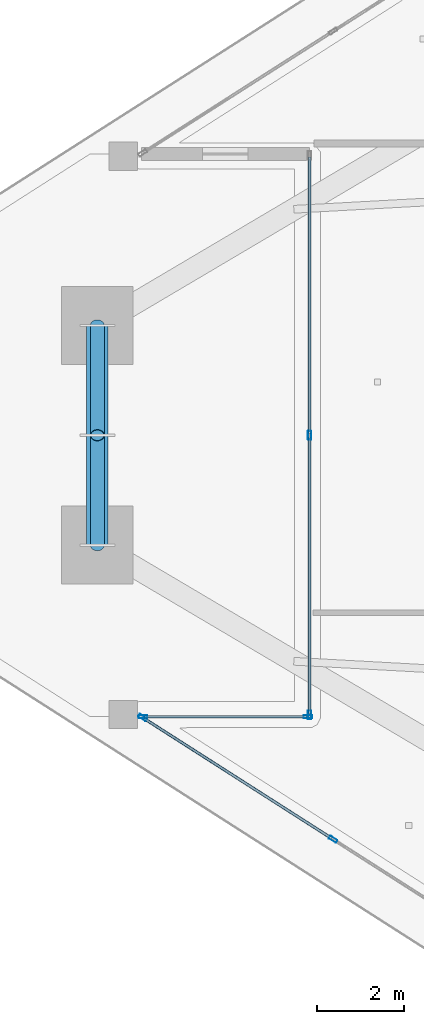
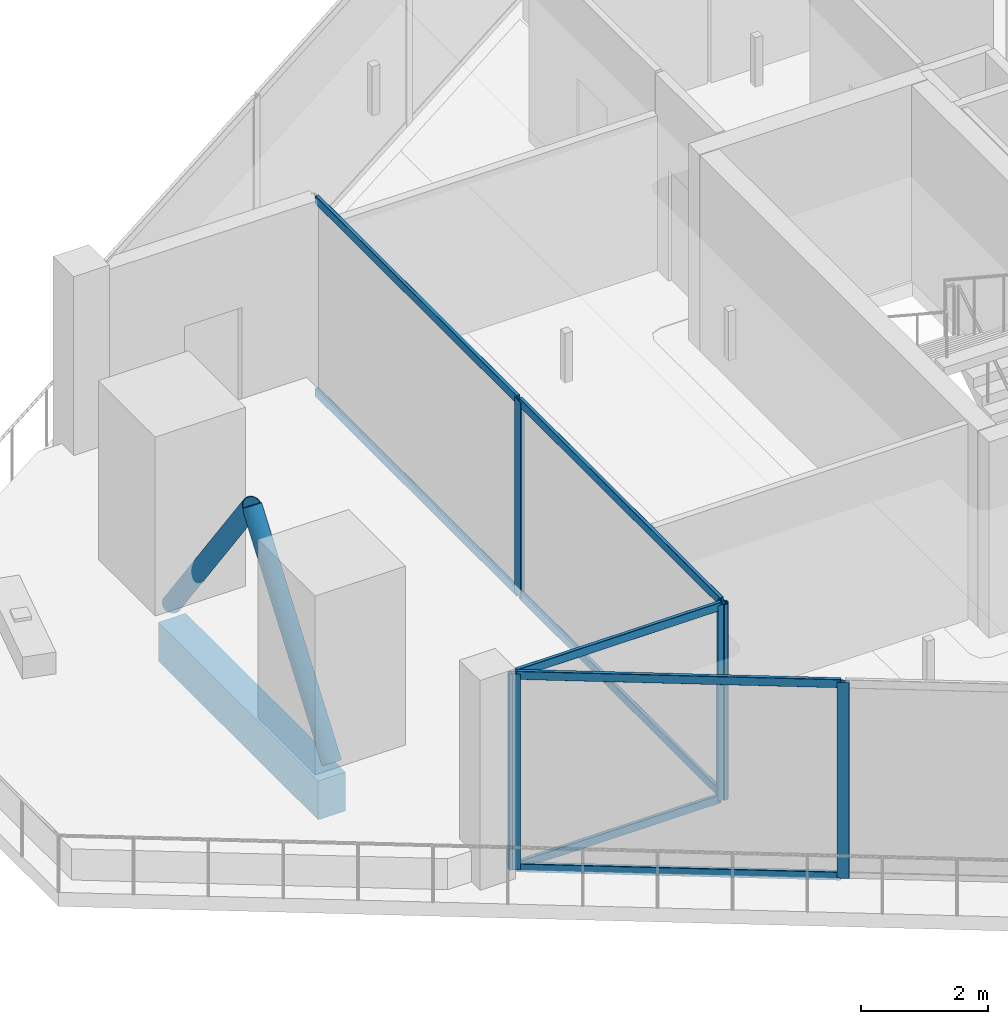
# One storey, part 5 of 32: 16 members, 1 beam, 3 elements without a shape of their own.
"""IFC4 building model written with IfcOpenShell, lengths in metres."""

from ifc_helpers import new_model, si_unit, direction, frame, origin, origin_2d, place, context, subcontext, project, spatial, rectangle, hollow_rectangle, hollow_circle, extrude, material, layer, layer_set, material_profile, profile_set, type_object, element, aggregate, save


model = new_model("IFC4")

# Units and contexts
model_context = context("Model", 3, precision=1e-05, world=origin(), true_north=direction((0.0, 1.0)))
body_context = subcontext(model_context, "Body", "Model", "MODEL_VIEW")
ifc_project = project(units=[si_unit("LENGTHUNIT", "METRE"), si_unit("AREAUNIT", "SQUARE_METRE"), si_unit("VOLUMEUNIT", "CUBIC_METRE"), si_unit("PLANEANGLEUNIT", "RADIAN"), si_unit("MASSUNIT", "GRAM", prefix="KILO")], contexts=[model_context])

# Site, building, storey
site_placement = place(None, origin())
site = spatial("IfcSite", under=ifc_project, at=site_placement, CompositionType="ELEMENT")
building_placement = place(site_placement, origin())
building = spatial("IfcBuilding", under=site, at=building_placement, Name="Qorvath Tower", CompositionType="ELEMENT")
storey_placement = place(building_placement, frame((0.0, 0.0, 233.39990234375)))
storey = spatial("IfcBuildingStorey", under=building, at=storey_placement, Name="L54", CompositionType="ELEMENT", Elevation=233.39990234375)

# Beam
ifc_material_1 = material(Name="Concrete C45/55", Category="concrete")
ifc_material_profile_1 = material_profile(ifc_material_1, rectangle(XDim=0.5, YDim=0.75, at=origin_2d()), Name="RCB 750x500")
ifc_profile_set_1 = profile_set([ifc_material_profile_1], Name="Concrete C45/55")
beam_type = type_object("IfcBeamType", Name="BM-RCB3", PredefinedType="SPANDREL", material=ifc_profile_set_1)
beam_placement = place(storey_placement, frame((-49.171875, 2.52783203125, -0.64501953125), z_axis=(0.0, -1.0, 0.0), x_axis=(1.0, 0.0, 0.0)))
element("IfcBeam", 1, at=beam_placement, inside=storey, type_object=beam_type, Name="Perimeter Loggia Frame Beam MC1-MC2 L54", PredefinedType="SPANDREL", context=body_context, shape_type="SweptSolid", body=[
    extrude(rectangle(XDim=0.5, YDim=0.75, at=origin_2d()), origin(), (0.0, 0.0, 1.0), 5.0556640625),
])

# Curtain wall, members
ifc_material_2 = material(Name="Anodised aluminium and triple low-E glass", Category="aluminium")
ifc_layer = layer(ifc_material_2, 0.179931640625)
ifc_layer_set = layer_set([ifc_layer], Name="CW-SYS-5")
curtain_wall_type = type_object("IfcCurtainWallType", Name="CW-SYS-5", PredefinedType="NOTDEFINED", material=ifc_layer_set)
curtain_wall_1_placement = place(storey_placement, origin())
curtain_wall_1 = element("IfcCurtainWall", 2, at=curtain_wall_1_placement, inside=storey, type_object=curtain_wall_type, Name="Curtain Wall CW-5 CW-T-L54-2.1", PredefinedType="NOTDEFINED")
ifc_material_3 = material(Name="Anodised aluminium 6063-T6", Category="aluminium")
ifc_material_profile_2 = material_profile(ifc_material_3, hollow_rectangle(XDim=0.074951171875, YDim=0.199951171875, WallThickness=0.00390625, InnerFilletRadius=0.00390625, OuterFilletRadius=0.008056640625, at=origin_2d()), Name="CWM 200x75")
ifc_profile_set_2 = profile_set([ifc_material_profile_2], Name="Anodised aluminium 6063-T6")
member_type_1 = type_object("IfcMemberType", Name="CWM-200", PredefinedType="MULLION", material=ifc_profile_set_2)
member_1_placement = place(storey_placement, frame((-44.2880859375, 0.0, 0.0), z_axis=(0.0, 0.0, 1.0), x_axis=(1.0, 0.0, 0.0)))
member_1 = element("IfcMember", 3, at=member_1_placement, type_object=member_type_1, Name="CW-5 mullion 2", PredefinedType="MULLION", context=body_context, shape_type="SweptSolid", body=[
    extrude(hollow_rectangle(XDim=0.074951171875, YDim=0.199951171875, WallThickness=0.00390625, InnerFilletRadius=0.00390625, OuterFilletRadius=0.008056640625, at=origin_2d()), origin(), (0.0, 0.0, 1.0), 3.780029296875),
])
member_2_placement = place(storey_placement, frame((-44.2880859375, -6.439697265625, 0.0), z_axis=(0.0, 0.0, 1.0), x_axis=(1.0, 0.0, 0.0)))
member_2 = element("IfcMember", 4, at=member_2_placement, type_object=member_type_1, Name="CW-5 mullion 3", PredefinedType="MULLION", context=body_context, shape_type="SweptSolid", body=[
    extrude(hollow_rectangle(XDim=0.074951171875, YDim=0.199951171875, WallThickness=0.00390625, InnerFilletRadius=0.00390625, OuterFilletRadius=0.008056640625, at=origin_2d()), origin(), (0.0, 0.0, 1.0), 3.780029296875),
])

curtain_wall_2_placement = place(storey_placement, origin())
curtain_wall_2 = element("IfcCurtainWall", 5, at=curtain_wall_2_placement, inside=storey, type_object=curtain_wall_type, Name="Curtain Wall CW-5 CW-T-L54-3.1", PredefinedType="NOTDEFINED")
member_3_placement = place(storey_placement, frame((-44.32568359375, -6.47705078125, 0.0), z_axis=(0.0, 0.0, 1.0), x_axis=(0.0, -1.0, 0.0)))
member_3 = element("IfcMember", 6, at=member_3_placement, type_object=member_type_1, Name="CW-5 mullion 1", PredefinedType="MULLION", context=body_context, shape_type="SweptSolid", body=[
    extrude(hollow_rectangle(XDim=0.074951171875, YDim=0.199951171875, WallThickness=0.00390625, InnerFilletRadius=0.00390625, OuterFilletRadius=0.008056640625, at=origin_2d()), origin(), (0.0, 0.0, 1.0), 3.780029296875),
])
member_4_placement = place(storey_placement, frame((-48.12451171875, -6.47705078125, 0.0), z_axis=(0.0, 0.0, 1.0), x_axis=(0.0, -1.0, 0.0)))
member_4 = element("IfcMember", 7, at=member_4_placement, type_object=member_type_1, Name="CW-5 mullion 2", PredefinedType="MULLION", context=body_context, shape_type="SweptSolid", body=[
    extrude(hollow_rectangle(XDim=0.074951171875, YDim=0.199951171875, WallThickness=0.00390625, InnerFilletRadius=0.00390625, OuterFilletRadius=0.008056640625, at=origin_2d()), origin(), (0.0, 0.0, 1.0), 3.780029296875),
])

curtain_wall_3_placement = place(storey_placement, origin())
curtain_wall_3 = element("IfcCurtainWall", 8, at=curtain_wall_3_placement, inside=storey, type_object=curtain_wall_type, Name="Curtain Wall CW-5 CW-T-L54-4.1", PredefinedType="NOTDEFINED")
member_5_placement = place(storey_placement, frame((-48.13037109375, -6.497314453125, 0.0), z_axis=(0.0, 0.0, 1.0), x_axis=(0.538528188002, 0.842607495057, 0.0)))
member_5 = element("IfcMember", 9, at=member_5_placement, type_object=member_type_1, Name="CW-5 mullion 1", PredefinedType="MULLION", context=body_context, shape_type="SweptSolid", body=[
    extrude(hollow_rectangle(XDim=0.074951171875, YDim=0.199951171875, WallThickness=0.00390625, InnerFilletRadius=0.00390625, OuterFilletRadius=0.008056640625, at=origin_2d()), origin(), (0.0, 0.0, 1.0), 3.780029296875),
])
member_6_placement = place(storey_placement, frame((-43.746826171875, -9.298828125, 0.0), z_axis=(0.0, 0.0, 1.0), x_axis=(0.538528188002, 0.842607495057, 0.0)))
member_6 = element("IfcMember", 10, at=member_6_placement, type_object=member_type_1, Name="CW-5 mullion 2", PredefinedType="MULLION", context=body_context, shape_type="SweptSolid", body=[
    extrude(hollow_rectangle(XDim=0.074951171875, YDim=0.199951171875, WallThickness=0.00390625, InnerFilletRadius=0.00390625, OuterFilletRadius=0.008056640625, at=origin_2d()), origin(), (0.0, 0.0, 1.0), 3.780029296875),
])

# Member
ifc_material_4 = material(Name="Anodised aluminium 6063-T6", Category="aluminium")
ifc_material_profile_3 = material_profile(ifc_material_4, hollow_rectangle(XDim=0.06494140625, YDim=0.159912109375, WallThickness=0.00341796875, InnerFilletRadius=0.00341796875, OuterFilletRadius=0.007080078125, at=origin_2d()), Name="CWT 160x65")
ifc_profile_set_3 = profile_set([ifc_material_profile_3], Name="Anodised aluminium 6063-T6")
member_type_2 = type_object("IfcMemberType", Name="CWT-160", PredefinedType="USERDEFINED", material=ifc_profile_set_3)
member_7_placement = place(storey_placement, frame((-44.2880859375, 6.402099609375, 0.032470703125), z_axis=(0.0, -1.0, 0.0), x_axis=(1.0, 0.0, 0.0)))
member_7 = element("IfcMember", 11, at=member_7_placement, type_object=member_type_2, Name="CW-5 transom 1.1", ObjectType="TRANSOM", PredefinedType="USERDEFINED", context=body_context, shape_type="SweptSolid", body=[
    extrude(hollow_rectangle(XDim=0.06494140625, YDim=0.159912109375, WallThickness=0.00341796875, InnerFilletRadius=0.00341796875, OuterFilletRadius=0.007080078125, at=origin_2d()), origin(), (0.0, 0.0, 1.0), 6.364501953125),
])

member_8_placement = place(storey_placement, frame((-44.2880859375, 6.402099609375, 3.74755859375), z_axis=(0.0, -1.0, 0.0), x_axis=(1.0, 0.0, 0.0)))
member_8 = element("IfcMember", 12, at=member_8_placement, type_object=member_type_2, Name="CW-5 transom 1.2", ObjectType="TRANSOM", PredefinedType="USERDEFINED", context=body_context, shape_type="SweptSolid", body=[
    extrude(hollow_rectangle(XDim=0.06494140625, YDim=0.159912109375, WallThickness=0.00341796875, InnerFilletRadius=0.00341796875, OuterFilletRadius=0.007080078125, at=origin_2d()), origin(), (0.0, 0.0, 1.0), 6.364501953125),
])

member_9_placement = place(storey_placement, frame((-44.2880859375, -0.03759765625, 0.032470703125), z_axis=(0.0, -1.0, 0.0), x_axis=(1.0, 0.0, 0.0)))
member_9 = element("IfcMember", 13, at=member_9_placement, type_object=member_type_2, Name="CW-5 transom 2.1", ObjectType="TRANSOM", PredefinedType="USERDEFINED", context=body_context, shape_type="SweptSolid", body=[
    extrude(hollow_rectangle(XDim=0.06494140625, YDim=0.159912109375, WallThickness=0.00341796875, InnerFilletRadius=0.00341796875, OuterFilletRadius=0.007080078125, at=origin_2d()), origin(), (0.0, 0.0, 1.0), 6.364501953125),
])

member_10_placement = place(storey_placement, frame((-44.2880859375, -0.03759765625, 3.74755859375), z_axis=(0.0, -1.0, 0.0), x_axis=(1.0, 0.0, 0.0)))
member_10 = element("IfcMember", 14, at=member_10_placement, type_object=member_type_2, Name="CW-5 transom 2.2", ObjectType="TRANSOM", PredefinedType="USERDEFINED", context=body_context, shape_type="SweptSolid", body=[
    extrude(hollow_rectangle(XDim=0.06494140625, YDim=0.159912109375, WallThickness=0.00341796875, InnerFilletRadius=0.00341796875, OuterFilletRadius=0.007080078125, at=origin_2d()), origin(), (0.0, 0.0, 1.0), 6.364501953125),
])

aggregate(curtain_wall_1, [member_1, member_2, member_7, member_8, member_9, member_10])

member_11_placement = place(storey_placement, frame((-44.363037109375, -6.47705078125, 0.032470703125), z_axis=(-1.0, 0.0, 0.0), x_axis=(0.0, -1.0, 0.0)))
member_11 = element("IfcMember", 15, at=member_11_placement, type_object=member_type_2, Name="CW-5 transom 1.1", ObjectType="TRANSOM", PredefinedType="USERDEFINED", context=body_context, shape_type="SweptSolid", body=[
    extrude(hollow_rectangle(XDim=0.06494140625, YDim=0.159912109375, WallThickness=0.00341796875, InnerFilletRadius=0.00341796875, OuterFilletRadius=0.007080078125, at=origin_2d()), origin(), (0.0, 0.0, 1.0), 3.723876953125),
])

member_12_placement = place(storey_placement, frame((-44.363037109375, -6.47705078125, 3.74755859375), z_axis=(-1.0, 0.0, 0.0), x_axis=(0.0, -1.0, 0.0)))
member_12 = element("IfcMember", 16, at=member_12_placement, type_object=member_type_2, Name="CW-5 transom 1.2", ObjectType="TRANSOM", PredefinedType="USERDEFINED", context=body_context, shape_type="SweptSolid", body=[
    extrude(hollow_rectangle(XDim=0.06494140625, YDim=0.159912109375, WallThickness=0.00341796875, InnerFilletRadius=0.00341796875, OuterFilletRadius=0.007080078125, at=origin_2d()), origin(), (0.0, 0.0, 1.0), 3.723876953125),
])

aggregate(curtain_wall_2, [member_3, member_4, member_11, member_12])

member_13_placement = place(storey_placement, frame((-48.0986328125, -6.517578125, 0.032470703125), z_axis=(0.842612832178, -0.538519837191, 0.0), x_axis=(0.538519837191, 0.842612832178, 0.0)))
member_13 = element("IfcMember", 17, at=member_13_placement, type_object=member_type_2, Name="CW-5 transom 1.1", ObjectType="TRANSOM", PredefinedType="USERDEFINED", context=body_context, shape_type="SweptSolid", body=[
    extrude(hollow_rectangle(XDim=0.06494140625, YDim=0.159912109375, WallThickness=0.00341796875, InnerFilletRadius=0.00341796875, OuterFilletRadius=0.007080078125, at=origin_2d()), origin(), (0.0, 0.0, 1.0), 5.126953125),
])

member_14_placement = place(storey_placement, frame((-48.0986328125, -6.517578125, 3.74755859375), z_axis=(0.842612832178, -0.538519837191, 0.0), x_axis=(0.538519837191, 0.842612832178, 0.0)))
member_14 = element("IfcMember", 18, at=member_14_placement, type_object=member_type_2, Name="CW-5 transom 1.2", ObjectType="TRANSOM", PredefinedType="USERDEFINED", context=body_context, shape_type="SweptSolid", body=[
    extrude(hollow_rectangle(XDim=0.06494140625, YDim=0.159912109375, WallThickness=0.00341796875, InnerFilletRadius=0.00341796875, OuterFilletRadius=0.007080078125, at=origin_2d()), origin(), (0.0, 0.0, 1.0), 5.126953125),
])

aggregate(curtain_wall_3, [member_5, member_6, member_13, member_14])

# Members
ifc_material_5 = material(Name="Steel ASTM A500 Grade C", Category="steel")
ifc_material_profile_4 = material_profile(ifc_material_5, hollow_circle(Radius=0.161865234375, WallThickness=0.0126953125, at=origin_2d()), Name="CHS 324x12.7")
ifc_profile_set_4 = profile_set([ifc_material_profile_4], Name="Steel ASTM A500 Grade C")
member_type_3 = type_object("IfcMemberType", Name="MEM-ST1", PredefinedType="STRUT", material=ifc_profile_set_4)
for number, where, z_axis, x_axis, name in (
    (19, (-49.171875, 2.52783203125, 0.0), (0.0, -0.593277217456, 0.804998225617), (1.0, 0.0, 0.0), "Sky Garden Corner Strut L54-A"),
    (20, (-49.171875, -2.52783203125, 0.0), (0.0, 0.593277217456, 0.804998225617), (-1.0, 0.0, 0.0), "Sky Garden Corner Strut L54-B"),
):
    element("IfcMember", number, at=place(storey_placement, frame(where, z_axis=z_axis, x_axis=x_axis)), inside=storey, type_object=member_type_3, Name=name, PredefinedType="STRUT", context=body_context, shape_type="SweptSolid", body=[
        extrude(hollow_circle(Radius=0.161865234375, WallThickness=0.0126953125, at=origin_2d()), origin(), (0.0, 0.0, 1.0), 4.2607421875),
    ])

save(model, "model.ifc")
